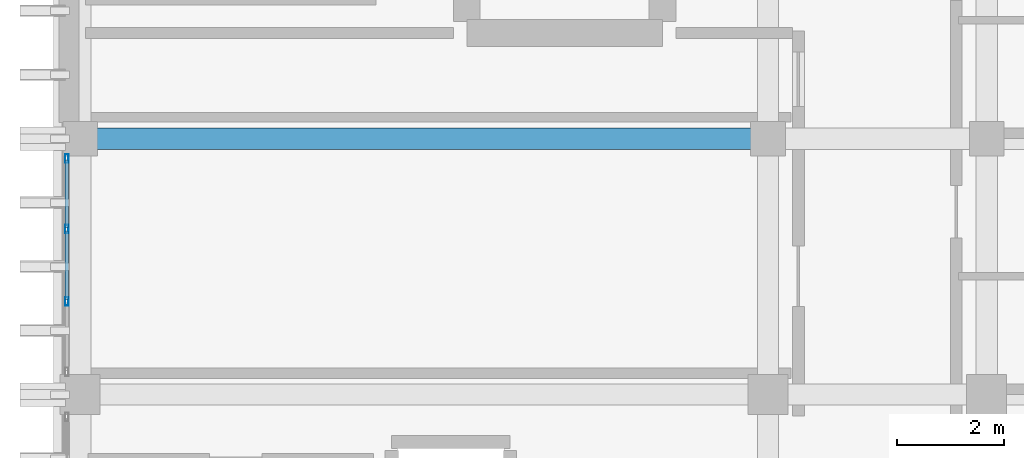
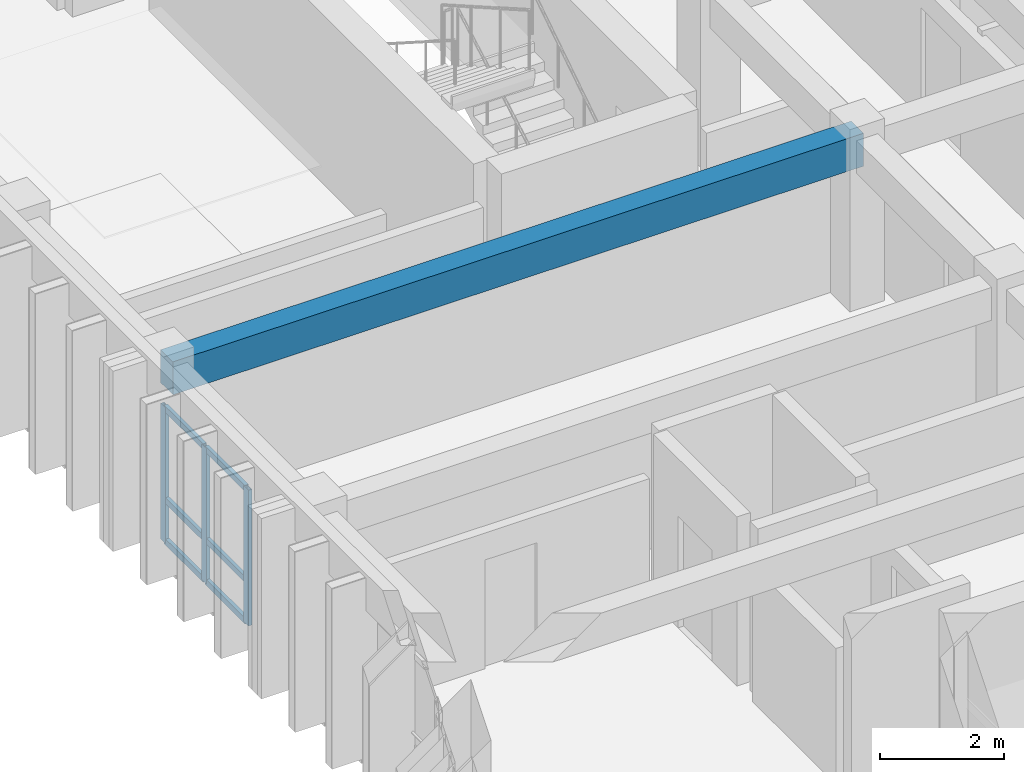
# One storey, part 34 of 64: 9 members, 1 beam, 1 element without a shape of its own.
"""IFC4 building model written with IfcOpenShell, lengths in metres."""

from ifc_helpers import new_model, si_unit, direction, frame, origin, origin_2d, place, context, subcontext, project, spatial, rectangle, hollow_rectangle, extrude, material, layer, layer_set, material_profile, profile_set, type_object, element, aggregate, save


model = new_model("IFC4")

# Units and contexts
model_context = context("Model", 3, precision=1e-05, world=origin(), true_north=direction((0.0, 1.0)))
body_context = subcontext(model_context, "Body", "Model", "MODEL_VIEW")
ifc_project = project(units=[si_unit("LENGTHUNIT", "METRE"), si_unit("AREAUNIT", "SQUARE_METRE"), si_unit("VOLUMEUNIT", "CUBIC_METRE"), si_unit("PLANEANGLEUNIT", "RADIAN"), si_unit("MASSUNIT", "GRAM", prefix="KILO")], contexts=[model_context])

# Site, building, storey
site_placement = place(None, origin())
site = spatial("IfcSite", under=ifc_project, at=site_placement, CompositionType="ELEMENT")
building_placement = place(site_placement, origin())
building = spatial("IfcBuilding", under=site, at=building_placement, Name="Nakhvara Creek Congress Hotel", CompositionType="ELEMENT")
storey_placement = place(building_placement, frame((0.0, 0.0, 28.199951171875)))
storey = spatial("IfcBuildingStorey", under=building, at=storey_placement, Name="L06", CompositionType="ELEMENT", Elevation=28.199951171875)

# Beam
ifc_material_1 = material(Name="Concrete C40/50", Category="concrete")
ifc_material_profile_1 = material_profile(ifc_material_1, rectangle(XDim=0.39990234375, YDim=0.64990234375, at=origin_2d()), Name="RC-BM 400x650", Category="LoadBearing")
ifc_profile_set_1 = profile_set([ifc_material_profile_1], Name="Concrete C40/50")
beam_type = type_object("IfcBeamType", Name="BM-RC-400X650", PredefinedType="BEAM", material=ifc_profile_set_1)
beam_placement = place(storey_placement, frame((149.449951171875, 100.800048828125, 3.01513671875), z_axis=(1.0, 0.0, 0.0), x_axis=(0.0, 1.0, 0.0)))
element("IfcBeam", 1, at=beam_placement, inside=storey, type_object=beam_type, Name="Beam B06-L06-2298", PredefinedType="BEAM", context=body_context, shape_type="SweptSolid", body=[
    extrude(rectangle(XDim=0.39990234375, YDim=0.64990234375, at=origin_2d()), origin(), (0.0, 0.0, 1.0), 12.900146484375),
])

# Curtain wall, members
ifc_material_2 = material(Name="Bronze-anodised aluminium AW-6063-T6 and double-silver low-E glass", Category="aluminium")
ifc_layer = layer(ifc_material_2, 0.199951171875)
ifc_layer_set = layer_set([ifc_layer], Name="Bronze-anodised aluminium AW-6063-T6 and double-silver low-E glass")
curtain_wall_type = type_object("IfcCurtainWallType", Name="CW-HTL-UNIT", PredefinedType="USERDEFINED", material=ifc_layer_set)
curtain_wall_placement = place(storey_placement, origin())
curtain_wall = element("IfcCurtainWall", 2, at=curtain_wall_placement, inside=storey, type_object=curtain_wall_type, Name="Curtain Wall CW246", ObjectType="UNITISED", PredefinedType="USERDEFINED")
ifc_material_3 = material(Name="Bronze-anodised aluminium AW-6063-T6", Category="aluminium")
ifc_material_profile_2 = material_profile(ifc_material_3, hollow_rectangle(XDim=0.06494140625, YDim=0.159912109375, WallThickness=0.00390625, at=origin_2d()), Name="ALU-MULL 65x160x4", Category="LoadBearing")
ifc_profile_set_2 = profile_set([ifc_material_profile_2], Name="Bronze-anodised aluminium AW-6063-T6")
member_type_1 = type_object("IfcMemberType", Name="CW-MULL-160", PredefinedType="MULLION", material=ifc_profile_set_2)
member_1_placement = place(storey_placement, frame((149.199951171875, 97.74658203125, 0.0), z_axis=(0.0, 0.0, 1.0), x_axis=(-1.0, 0.0, 0.0)))
member_1 = element("IfcMember", 3, at=member_1_placement, type_object=member_type_1, Name="CW246 mullion 2", PredefinedType="MULLION", context=body_context, shape_type="SweptSolid", body=[
    extrude(hollow_rectangle(XDim=0.06494140625, YDim=0.159912109375, WallThickness=0.00390625, at=origin_2d()), origin(), (0.0, 0.0, 1.0), 2.68212890625),
])
member_2_placement = place(storey_placement, frame((149.199951171875, 99.103271484375, 0.0), z_axis=(0.0, 0.0, 1.0), x_axis=(-1.0, 0.0, 0.0)))
member_2 = element("IfcMember", 4, at=member_2_placement, type_object=member_type_1, Name="CW246 mullion 3", PredefinedType="MULLION", context=body_context, shape_type="SweptSolid", body=[
    extrude(hollow_rectangle(XDim=0.06494140625, YDim=0.159912109375, WallThickness=0.00390625, at=origin_2d()), origin(), (0.0, 0.0, 1.0), 2.68212890625),
])
member_3_placement = place(storey_placement, frame((149.199951171875, 100.427490234375, 0.0), z_axis=(0.0, 0.0, 1.0), x_axis=(-1.0, 0.0, 0.0)))
member_3 = element("IfcMember", 5, at=member_3_placement, type_object=member_type_1, Name="CW246 mullion 4", PredefinedType="MULLION", context=body_context, shape_type="SweptSolid", body=[
    extrude(hollow_rectangle(XDim=0.06494140625, YDim=0.159912109375, WallThickness=0.00390625, at=origin_2d()), origin(), (0.0, 0.0, 1.0), 2.68212890625),
])
ifc_material_profile_3 = material_profile(ifc_material_3, hollow_rectangle(XDim=0.06494140625, YDim=0.1201171875, WallThickness=0.00390625, at=origin_2d()), Name="ALU-TRAN 65x120x4", Category="LoadBearing")
ifc_profile_set_3 = profile_set([ifc_material_profile_3], Name="Bronze-anodised aluminium AW-6063-T6")
member_type_2 = type_object("IfcMemberType", Name="CW-TRAN-120", PredefinedType="USERDEFINED", material=ifc_profile_set_3)
member_4_placement = place(storey_placement, frame((149.199951171875, 97.779052734375, 0.032470703125), z_axis=(0.0, 1.0, 0.0), x_axis=(-1.0, 0.0, 0.0)))
member_4 = element("IfcMember", 6, at=member_4_placement, type_object=member_type_2, Name="CW246 transom 2.1", ObjectType="TRANSOM", PredefinedType="USERDEFINED", context=body_context, shape_type="SweptSolid", body=[
    extrude(hollow_rectangle(XDim=0.06494140625, YDim=0.1201171875, WallThickness=0.00390625, at=origin_2d()), origin(), (0.0, 0.0, 1.0), 1.291748046875),
])
member_5_placement = place(storey_placement, frame((149.199951171875, 97.779052734375, 0.85009765625), z_axis=(0.0, 1.0, 0.0), x_axis=(-1.0, 0.0, 0.0)))
member_5 = element("IfcMember", 7, at=member_5_placement, type_object=member_type_2, Name="CW246 transom 2.2", ObjectType="TRANSOM", PredefinedType="USERDEFINED", context=body_context, shape_type="SweptSolid", body=[
    extrude(hollow_rectangle(XDim=0.06494140625, YDim=0.1201171875, WallThickness=0.00390625, at=origin_2d()), origin(), (0.0, 0.0, 1.0), 1.291748046875),
])
member_6_placement = place(storey_placement, frame((149.199951171875, 97.779052734375, 2.649658203125), z_axis=(0.0, 1.0, 0.0), x_axis=(-1.0, 0.0, 0.0)))
member_6 = element("IfcMember", 8, at=member_6_placement, type_object=member_type_2, Name="CW246 transom 2.3", ObjectType="TRANSOM", PredefinedType="USERDEFINED", context=body_context, shape_type="SweptSolid", body=[
    extrude(hollow_rectangle(XDim=0.06494140625, YDim=0.1201171875, WallThickness=0.00390625, at=origin_2d()), origin(), (0.0, 0.0, 1.0), 1.291748046875),
])
member_7_placement = place(storey_placement, frame((149.199951171875, 99.1357421875, 0.032470703125), z_axis=(0.0, 1.0, 0.0), x_axis=(-1.0, 0.0, 0.0)))
member_7 = element("IfcMember", 9, at=member_7_placement, type_object=member_type_2, Name="CW246 transom 3.1", ObjectType="TRANSOM", PredefinedType="USERDEFINED", context=body_context, shape_type="SweptSolid", body=[
    extrude(hollow_rectangle(XDim=0.06494140625, YDim=0.1201171875, WallThickness=0.00390625, at=origin_2d()), origin(), (0.0, 0.0, 1.0), 1.25927734375),
])
member_8_placement = place(storey_placement, frame((149.199951171875, 99.1357421875, 0.85009765625), z_axis=(0.0, 1.0, 0.0), x_axis=(-1.0, 0.0, 0.0)))
member_8 = element("IfcMember", 10, at=member_8_placement, type_object=member_type_2, Name="CW246 transom 3.2", ObjectType="TRANSOM", PredefinedType="USERDEFINED", context=body_context, shape_type="SweptSolid", body=[
    extrude(hollow_rectangle(XDim=0.06494140625, YDim=0.1201171875, WallThickness=0.00390625, at=origin_2d()), origin(), (0.0, 0.0, 1.0), 1.25927734375),
])
member_9_placement = place(storey_placement, frame((149.199951171875, 99.1357421875, 2.649658203125), z_axis=(0.0, 1.0, 0.0), x_axis=(-1.0, 0.0, 0.0)))
member_9 = element("IfcMember", 11, at=member_9_placement, type_object=member_type_2, Name="CW246 transom 3.3", ObjectType="TRANSOM", PredefinedType="USERDEFINED", context=body_context, shape_type="SweptSolid", body=[
    extrude(hollow_rectangle(XDim=0.06494140625, YDim=0.1201171875, WallThickness=0.00390625, at=origin_2d()), origin(), (0.0, 0.0, 1.0), 1.25927734375),
])
aggregate(curtain_wall, [member_1, member_2, member_3, member_4, member_5, member_6, member_7, member_8, member_9])

save(model, "model.ifc")
